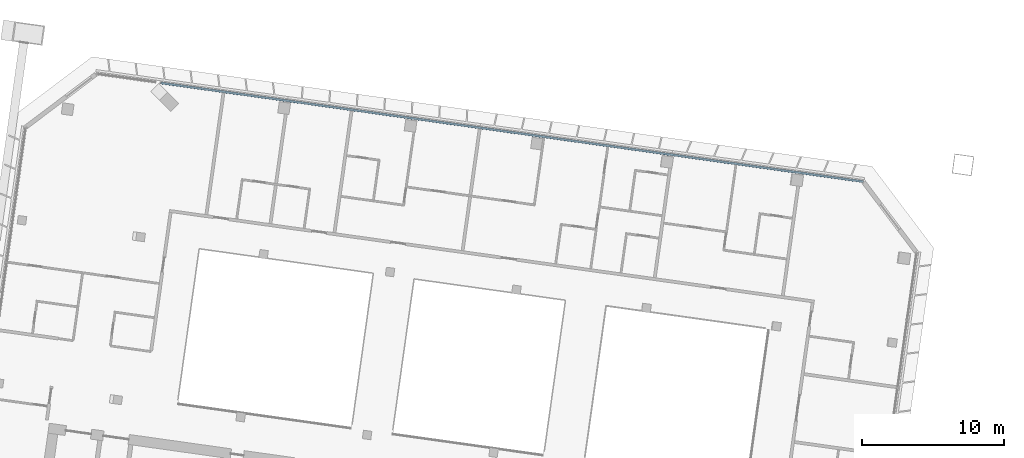
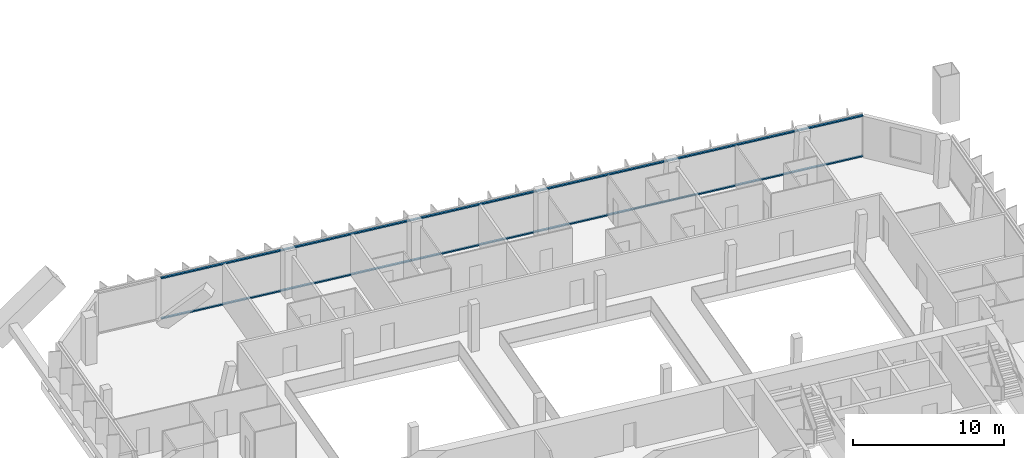
# One storey, part 5 of 32: 2 members, 1 element without a shape of its own.
"""IFC4 building model written with IfcOpenShell, lengths in metres."""

from ifc_helpers import new_model, si_unit, direction, frame, origin, origin_2d, place, context, subcontext, project, spatial, rectangle, extrude, material, material_profile, profile_set, type_object, element, aggregate, save


model = new_model("IFC4")

# Units and contexts
model_context = context("Model", 3, precision=1e-05, world=origin(), true_north=direction((0.0, 1.0)))
body_context = subcontext(model_context, "Body", "Model", "MODEL_VIEW")
ifc_project = project(units=[si_unit("LENGTHUNIT", "METRE"), si_unit("AREAUNIT", "SQUARE_METRE"), si_unit("VOLUMEUNIT", "CUBIC_METRE"), si_unit("PLANEANGLEUNIT", "RADIAN"), si_unit("MASSUNIT", "GRAM", prefix="KILO")], contexts=[model_context])

# Site, building, storey
site_placement = place(None, origin())
site = spatial("IfcSite", under=ifc_project, at=site_placement, CompositionType="ELEMENT")
building_placement = place(site_placement, origin())
building = spatial("IfcBuilding", under=site, at=building_placement, Name="Mirante Cascada Hotel Towers", CompositionType="ELEMENT")
storey_placement = place(building_placement, frame((0.0, 0.0, 176.4)))
storey = spatial("IfcBuildingStorey", under=building, at=storey_placement, Name="L41", CompositionType="ELEMENT", Elevation=176.4)

# Curtain wall, members
ifc_material_1 = material(Name="Aluminium mullion and transom frame with clear laminated glass", Category="aluminium")
curtain_wall_type = type_object("IfcCurtainWallType", Name="Ribbon curtain wall ECW1", PredefinedType="NOTDEFINED", material=ifc_material_1)
curtain_wall_placement = place(storey_placement, origin())
curtain_wall = element("IfcCurtainWall", 1, at=curtain_wall_placement, inside=storey, type_object=curtain_wall_type, Name="Front ribbon wall T1 L41", PredefinedType="NOTDEFINED")
ifc_material_2 = material(Name="Anodised aluminium extrusion", Category="aluminium")
ifc_material_profile = material_profile(ifc_material_2, rectangle(XDim=0.16, YDim=0.1, at=origin_2d()), Name="ECW1 TRANSOM 100x160")
ifc_profile_set = profile_set([ifc_material_profile], Name="Anodised aluminium extrusion")
member_type = type_object("IfcMemberType", Name="ECW1 transom 100x160", PredefinedType="USERDEFINED", material=ifc_profile_set)
member_1_placement = place(storey_placement, frame((-80.7134, 24.1626, 0.05), z_axis=(0.9902678, -0.1391747, 0.0), x_axis=(0.1391747, 0.9902678, 0.0)))
member_1 = element("IfcMember", 2, at=member_1_placement, type_object=member_type, Name="ECW1 sill transom", ObjectType="TRANSOM", PredefinedType="USERDEFINED", context=body_context, shape_type="SweptSolid", body=[
    extrude(rectangle(XDim=0.16, YDim=0.1, at=origin_2d()), origin(), (0.0, 0.0, 1.0), 50.0091),
])
member_2_placement = place(storey_placement, frame((-80.7134, 24.1626, 3.3), z_axis=(0.9902678, -0.1391747, 0.0), x_axis=(0.1391747, 0.9902678, 0.0)))
member_2 = element("IfcMember", 3, at=member_2_placement, type_object=member_type, Name="ECW1 head transom", ObjectType="TRANSOM", PredefinedType="USERDEFINED", context=body_context, shape_type="SweptSolid", body=[
    extrude(rectangle(XDim=0.16, YDim=0.1, at=origin_2d()), origin(), (0.0, 0.0, 1.0), 50.0091),
])
aggregate(curtain_wall, [member_1, member_2])

save(model, "model.ifc")
